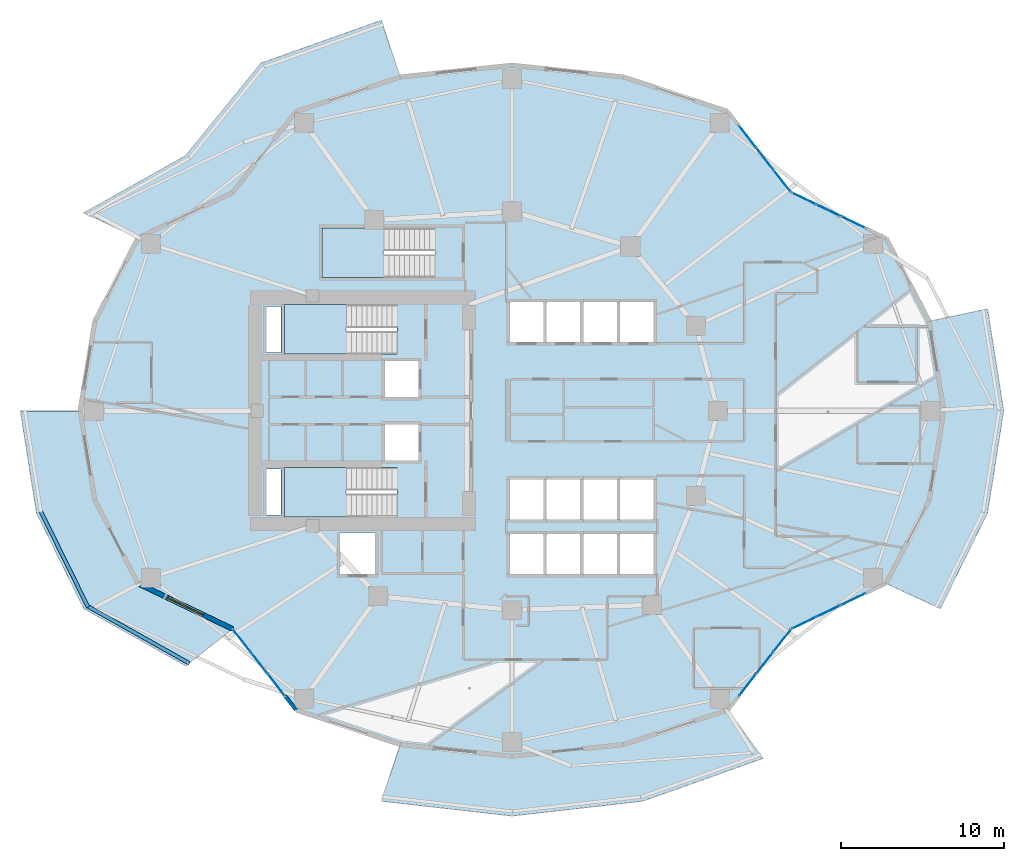
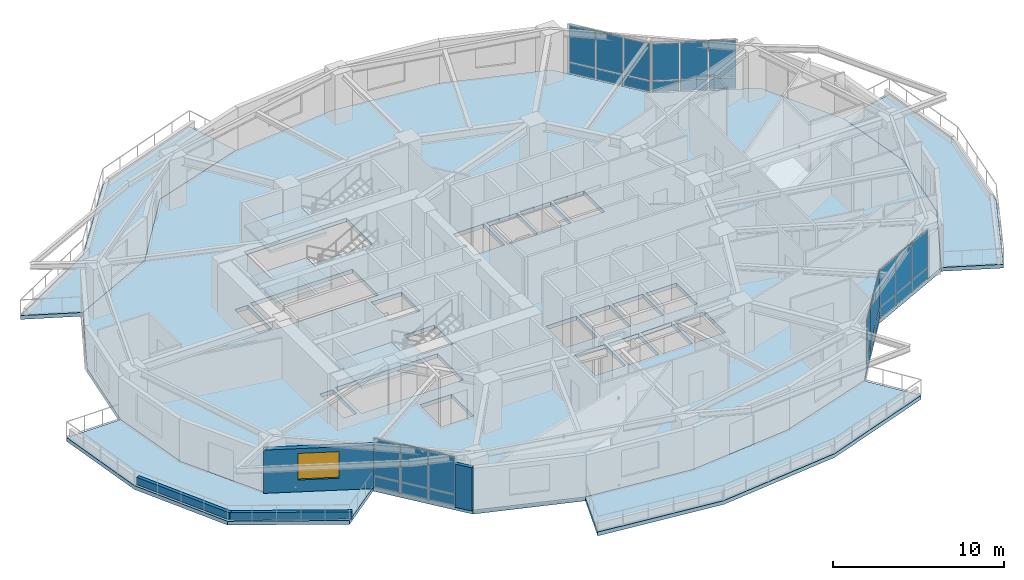
# One storey, part 7 of 19: 35 plates, 8 slabs, 4 walls, 1 window, 1 opening, 8 elements without a shape of their own.
"""IFC4 building model written with IfcOpenShell, lengths in metres."""

from ifc_helpers import new_model, si_unit, direction, frame, frame_2d, origin, origin_2d, place, context, subcontext, project, spatial, polyline, rectangle, outline, extrude, material, layer, layer_set, type_object, element, fill, aggregate, save


model = new_model("IFC4")

# Units and contexts
model_context = context("Model", 3, precision=1e-05, world=origin(), true_north=direction((0.0, 1.0)))
body_context = subcontext(model_context, "Body", "Model", "MODEL_VIEW")
ifc_project = project(units=[si_unit("LENGTHUNIT", "METRE"), si_unit("AREAUNIT", "SQUARE_METRE"), si_unit("VOLUMEUNIT", "CUBIC_METRE"), si_unit("PLANEANGLEUNIT", "RADIAN"), si_unit("MASSUNIT", "GRAM", prefix="KILO")], contexts=[model_context])

# Site, building, storey
site_placement = place(None, origin())
site = spatial("IfcSite", under=ifc_project, at=site_placement, CompositionType="ELEMENT")
building_placement = place(site_placement, origin())
building = spatial("IfcBuilding", under=site, at=building_placement, Name="Kolvaren Gate Tower and Convention Centre", CompositionType="ELEMENT")
storey_placement = place(building_placement, frame((0.0, 0.0, 68.85009765625)))
storey = spatial("IfcBuildingStorey", under=building, at=storey_placement, Name="L16", CompositionType="ELEMENT", Elevation=68.85009765625)

# Plates
ifc_material_1 = material(Name="Perforated Anodized Bronze Aluminium Sheet 6 mm", Category="aluminium")
ifc_layer_1 = layer(ifc_material_1, 0.011962890625)
ifc_layer_set_1 = layer_set([ifc_layer_1], Name="Perforated Anodized Bronze Aluminium Sheet 6 mm")
plate_type_1 = type_object("IfcPlateType", Name="ARCH-PL-SCREEN-PERF", PredefinedType="SHEET", material=ifc_layer_set_1)
for number, where, z_axis, x_axis, name in (
    (1, (50.122314453125, 38.967529296875, 2.72998046875), (0.0, 0.0, 1.0), (0.901357634097, -0.433075530889, 0.0), "Tower L16 Perforated Bronze Solar Screen SS-02"),
    (2, (45.283935546875, 42.83837890625, 2.72998046875), (0.0, 0.0, 1.0), (0.616431370541, -0.787408639407, 0.0), "Tower L16 Perforated Bronze Solar Screen SS-03"),
    (3, (14.966064453125, 11.161865234375, 2.72998046875), (0.0, 0.0, 1.0), (0.616431370541, -0.787408639407, 0.0), "Tower L16 Perforated Bronze Solar Screen SS-15"),
    (4, (45.283935546875, 11.161865234375, 2.72998046875), (0.0, 0.0, 1.0), (0.616431370541, 0.787408639407, 0.0), "Tower L16 Perforated Bronze Solar Screen SS-20"),
    (5, (50.122314453125, 15.032470703125, 2.72998046875), (0.0, 0.0, 1.0), (0.901357634097, 0.433075530889, 0.0), "Tower L16 Perforated Bronze Solar Screen SS-21"),
):
    element("IfcPlate", number, at=place(storey_placement, frame(where, z_axis=z_axis, x_axis=x_axis)), inside=storey, type_object=plate_type_1, Name=name, PredefinedType="SHEET", context=body_context, shape_type="SweptSolid", body=[
        extrude(rectangle(XDim=2.60009765625, YDim=0.011962890625, at=origin_2d()), origin(), (0.0, 0.0, 1.0), 0.840087890625),
    ])

# Curtain wall, plates
ifc_material_2 = material(Name="Anodized Architectural Aluminium Alloy 6063-T6", Category="aluminium")
ifc_layer_2 = layer(ifc_material_2, 0.159912109375)
ifc_layer_set_2 = layer_set([ifc_layer_2], Name="Anodized Architectural Aluminium Alloy 6063-T6")
curtain_wall_type = type_object("IfcCurtainWallType", Name="CW-OFF-UNIT", PredefinedType="NOTDEFINED", material=ifc_layer_set_2)
curtain_wall_1_placement = place(storey_placement, origin())
curtain_wall_1 = element("IfcCurtainWall", 6, at=curtain_wall_1_placement, inside=storey, type_object=curtain_wall_type, Name="Tower L16 Unitised Curtain Wall CW-OFF-UNIT Bay 02", PredefinedType="NOTDEFINED")
ifc_material_3 = material(Name="Low-E Triple Insulated Glazing Unit 44 mm", Category="glass")
ifc_layer_3 = layer(ifc_material_3, 0.0439453125)
ifc_layer_set_3 = layer_set([ifc_layer_3], Name="Low-E Triple Insulated Glazing Unit 44 mm")
plate_type_2 = type_object("IfcPlateType", Name="CW-PL-IGU-44", PredefinedType="CURTAIN_PANEL", material=ifc_layer_set_3)
plate_1_placement = place(storey_placement, frame((47.997314453125, 39.988525390625, 0.88232421875), z_axis=(0.0, 0.0, 1.0), x_axis=(0.901361695796, -0.433067077196, 0.0)))
plate_1 = element("IfcPlate", 7, at=plate_1_placement, type_object=plate_type_2, Name="CW-02 panel 1.2", PredefinedType="CURTAIN_PANEL", context=body_context, shape_type="SweptSolid", body=[
    extrude(rectangle(XDim=1.5859375, YDim=0.0439453125, at=origin_2d()), origin(), (0.0, 0.0, 1.0), 2.62255859375),
])
plate_2_placement = place(storey_placement, frame((49.499755859375, 39.2666015625, 0.88232421875), z_axis=(0.0, 0.0, 1.0), x_axis=(0.901361695796, -0.433067077196, 0.0)))
plate_2 = element("IfcPlate", 8, at=plate_2_placement, type_object=plate_type_2, Name="CW-02 panel 2.2", PredefinedType="CURTAIN_PANEL", context=body_context, shape_type="SweptSolid", body=[
    extrude(rectangle(XDim=1.618408203125, YDim=0.0439453125, at=origin_2d()), origin(), (0.0, 0.0, 1.0), 2.62255859375),
])
plate_3_placement = place(storey_placement, frame((51.00244140625, 38.544677734375, 0.88232421875), z_axis=(0.0, 0.0, 1.0), x_axis=(0.901361695796, -0.433067077196, 0.0)))
plate_3 = element("IfcPlate", 9, at=plate_3_placement, type_object=plate_type_2, Name="CW-02 panel 3.2", PredefinedType="CURTAIN_PANEL", context=body_context, shape_type="SweptSolid", body=[
    extrude(rectangle(XDim=1.5859375, YDim=0.0439453125, at=origin_2d()), origin(), (0.0, 0.0, 1.0), 2.62255859375),
])

curtain_wall_2_placement = place(storey_placement, origin())
curtain_wall_2 = element("IfcCurtainWall", 10, at=curtain_wall_2_placement, inside=storey, type_object=curtain_wall_type, Name="Tower L16 Unitised Curtain Wall CW-OFF-UNIT Bay 03", PredefinedType="NOTDEFINED")
plate_4_placement = place(storey_placement, frame((44.55322265625, 43.771484375, 0.88232421875), z_axis=(0.0, 0.0, 1.0), x_axis=(0.61643432946, -0.787406322976, 0.0)))
plate_4 = element("IfcPlate", 11, at=plate_4_placement, type_object=plate_type_2, Name="CW-02 panel 1.2", PredefinedType="CURTAIN_PANEL", context=body_context, shape_type="SweptSolid", body=[
    extrude(rectangle(XDim=1.641845703125, YDim=0.0439453125, at=origin_2d()), origin(), (0.0, 0.0, 1.0), 2.62255859375),
])
plate_5_placement = place(storey_placement, frame((45.615478515625, 42.41455078125, 0.88232421875), z_axis=(0.0, 0.0, 1.0), x_axis=(0.61643432946, -0.787406322976, 0.0)))
plate_5 = element("IfcPlate", 12, at=plate_5_placement, type_object=plate_type_2, Name="CW-02 panel 2.2", PredefinedType="CURTAIN_PANEL", context=body_context, shape_type="SweptSolid", body=[
    extrude(rectangle(XDim=1.674560546875, YDim=0.0439453125, at=origin_2d()), origin(), (0.0, 0.0, 1.0), 2.62255859375),
])
plate_6_placement = place(storey_placement, frame((46.677734375, 41.0576171875, 0.88232421875), z_axis=(0.0, 0.0, 1.0), x_axis=(0.61643432946, -0.787406322976, 0.0)))
plate_6 = element("IfcPlate", 13, at=plate_6_placement, type_object=plate_type_2, Name="CW-02 panel 3.2", PredefinedType="CURTAIN_PANEL", context=body_context, shape_type="SweptSolid", body=[
    extrude(rectangle(XDim=1.641845703125, YDim=0.0439453125, at=origin_2d()), origin(), (0.0, 0.0, 1.0), 2.62255859375),
])

curtain_wall_3_placement = place(storey_placement, origin())
curtain_wall_3 = element("IfcCurtainWall", 14, at=curtain_wall_3_placement, inside=storey, type_object=curtain_wall_type, Name="Tower L16 Unitised Curtain Wall CW-OFF-UNIT Bay 15", PredefinedType="NOTDEFINED")
plate_7_placement = place(storey_placement, frame((13.572265625, 12.9423828125, 0.88232421875), z_axis=(0.0, 0.0, 1.0), x_axis=(0.616426589398, -0.787412382353, 0.0)))
plate_7 = element("IfcPlate", 15, at=plate_7_placement, type_object=plate_type_2, Name="CW-02 panel 1.2", PredefinedType="CURTAIN_PANEL", context=body_context, shape_type="SweptSolid", body=[
    extrude(rectangle(XDim=1.641845703125, YDim=0.0439453125, at=origin_2d()), origin(), (0.0, 0.0, 1.0), 2.62255859375),
])
plate_8_placement = place(storey_placement, frame((14.63427734375, 11.58544921875, 0.88232421875), z_axis=(0.0, 0.0, 1.0), x_axis=(0.616426589398, -0.787412382353, 0.0)))
plate_8 = element("IfcPlate", 16, at=plate_8_placement, type_object=plate_type_2, Name="CW-02 panel 2.2", PredefinedType="CURTAIN_PANEL", context=body_context, shape_type="SweptSolid", body=[
    extrude(rectangle(XDim=1.67431640625, YDim=0.0439453125, at=origin_2d()), origin(), (0.0, 0.0, 1.0), 2.62255859375),
])
plate_9_placement = place(storey_placement, frame((15.696533203125, 10.228759765625, 0.88232421875), z_axis=(0.0, 0.0, 1.0), x_axis=(0.616426589398, -0.787412382353, 0.0)))
plate_9 = element("IfcPlate", 17, at=plate_9_placement, type_object=plate_type_2, Name="CW-02 panel 3.2", PredefinedType="CURTAIN_PANEL", context=body_context, shape_type="SweptSolid", body=[
    extrude(rectangle(XDim=1.641845703125, YDim=0.0439453125, at=origin_2d()), origin(), (0.0, 0.0, 1.0), 2.62255859375),
])

curtain_wall_4_placement = place(storey_placement, origin())
curtain_wall_4 = element("IfcCurtainWall", 18, at=curtain_wall_4_placement, inside=storey, type_object=curtain_wall_type, Name="Tower L16 Unitised Curtain Wall CW-OFF-UNIT Bay 20", PredefinedType="NOTDEFINED")
plate_10_placement = place(storey_placement, frame((44.55322265625, 10.228515625, 0.88232421875), z_axis=(0.0, 0.0, 1.0), x_axis=(0.61643432946, 0.787406322976, 0.0)))
plate_10 = element("IfcPlate", 19, at=plate_10_placement, type_object=plate_type_2, Name="CW-02 panel 1.2", PredefinedType="CURTAIN_PANEL", context=body_context, shape_type="SweptSolid", body=[
    extrude(rectangle(XDim=1.641845703125, YDim=0.0439453125, at=origin_2d()), origin(), (0.0, 0.0, 1.0), 2.62255859375),
])
plate_11_placement = place(storey_placement, frame((45.615478515625, 11.58544921875, 0.88232421875), z_axis=(0.0, 0.0, 1.0), x_axis=(0.61643432946, 0.787406322976, 0.0)))
plate_11 = element("IfcPlate", 20, at=plate_11_placement, type_object=plate_type_2, Name="CW-02 panel 2.2", PredefinedType="CURTAIN_PANEL", context=body_context, shape_type="SweptSolid", body=[
    extrude(rectangle(XDim=1.674560546875, YDim=0.0439453125, at=origin_2d()), origin(), (0.0, 0.0, 1.0), 2.62255859375),
])
plate_12_placement = place(storey_placement, frame((46.677734375, 12.9423828125, 0.88232421875), z_axis=(0.0, 0.0, 1.0), x_axis=(0.61643432946, 0.787406322976, 0.0)))
plate_12 = element("IfcPlate", 21, at=plate_12_placement, type_object=plate_type_2, Name="CW-02 panel 3.2", PredefinedType="CURTAIN_PANEL", context=body_context, shape_type="SweptSolid", body=[
    extrude(rectangle(XDim=1.641845703125, YDim=0.0439453125, at=origin_2d()), origin(), (0.0, 0.0, 1.0), 2.62255859375),
])

curtain_wall_5_placement = place(storey_placement, origin())
curtain_wall_5 = element("IfcCurtainWall", 22, at=curtain_wall_5_placement, inside=storey, type_object=curtain_wall_type, Name="Tower L16 Unitised Curtain Wall CW-OFF-UNIT Bay 21", PredefinedType="NOTDEFINED")
plate_13_placement = place(storey_placement, frame((47.997314453125, 14.011474609375, 0.88232421875), z_axis=(0.0, 0.0, 1.0), x_axis=(0.901361695796, 0.433067077196, 0.0)))
plate_13 = element("IfcPlate", 23, at=plate_13_placement, type_object=plate_type_2, Name="CW-02 panel 1.2", PredefinedType="CURTAIN_PANEL", context=body_context, shape_type="SweptSolid", body=[
    extrude(rectangle(XDim=1.5859375, YDim=0.0439453125, at=origin_2d()), origin(), (0.0, 0.0, 1.0), 2.62255859375),
])
plate_14_placement = place(storey_placement, frame((49.499755859375, 14.7333984375, 0.88232421875), z_axis=(0.0, 0.0, 1.0), x_axis=(0.901361695796, 0.433067077196, 0.0)))
plate_14 = element("IfcPlate", 24, at=plate_14_placement, type_object=plate_type_2, Name="CW-02 panel 2.2", PredefinedType="CURTAIN_PANEL", context=body_context, shape_type="SweptSolid", body=[
    extrude(rectangle(XDim=1.618408203125, YDim=0.0439453125, at=origin_2d()), origin(), (0.0, 0.0, 1.0), 2.62255859375),
])
plate_15_placement = place(storey_placement, frame((51.00244140625, 15.455322265625, 0.88232421875), z_axis=(0.0, 0.0, 1.0), x_axis=(0.901361695796, 0.433067077196, 0.0)))
plate_15 = element("IfcPlate", 25, at=plate_15_placement, type_object=plate_type_2, Name="CW-02 panel 3.2", PredefinedType="CURTAIN_PANEL", context=body_context, shape_type="SweptSolid", body=[
    extrude(rectangle(XDim=1.5859375, YDim=0.0439453125, at=origin_2d()), origin(), (0.0, 0.0, 1.0), 2.62255859375),
])

# Plate
ifc_material_4 = material(Name="Solar-Control Laminated Curtain Glazing 36 mm", Category="glass")
ifc_layer_4 = layer(ifc_material_4, 0.035888671875)
ifc_layer_set_4 = layer_set([ifc_layer_4], Name="Solar-Control Laminated Curtain Glazing 36 mm")
plate_type_3 = type_object("IfcPlateType", Name="CW-PL-SPAN-36", PredefinedType="CURTAIN_PANEL", material=ifc_layer_set_4)
plate_16_placement = place(storey_placement, frame((47.997314453125, 39.988525390625, 0.06494140625), z_axis=(0.0, 0.0, 1.0), x_axis=(0.901361695796, -0.433067077196, 0.0)))
plate_16 = element("IfcPlate", 26, at=plate_16_placement, type_object=plate_type_3, Name="CW-02 panel 1.1", PredefinedType="CURTAIN_PANEL", context=body_context, shape_type="SweptSolid", body=[
    extrude(rectangle(XDim=1.5859375, YDim=0.035888671875, at=origin_2d()), origin(), (0.0, 0.0, 1.0), 0.75244140625),
])

plate_17_placement = place(storey_placement, frame((49.499755859375, 39.2666015625, 0.06494140625), z_axis=(0.0, 0.0, 1.0), x_axis=(0.901361695796, -0.433067077196, 0.0)))
plate_17 = element("IfcPlate", 27, at=plate_17_placement, type_object=plate_type_3, Name="CW-02 panel 2.1", PredefinedType="CURTAIN_PANEL", context=body_context, shape_type="SweptSolid", body=[
    extrude(rectangle(XDim=1.618408203125, YDim=0.035888671875, at=origin_2d()), origin(), (0.0, 0.0, 1.0), 0.75244140625),
])

plate_18_placement = place(storey_placement, frame((51.00244140625, 38.544677734375, 0.06494140625), z_axis=(0.0, 0.0, 1.0), x_axis=(0.901361695796, -0.433067077196, 0.0)))
plate_18 = element("IfcPlate", 28, at=plate_18_placement, type_object=plate_type_3, Name="CW-02 panel 3.1", PredefinedType="CURTAIN_PANEL", context=body_context, shape_type="SweptSolid", body=[
    extrude(rectangle(XDim=1.5859375, YDim=0.035888671875, at=origin_2d()), origin(), (0.0, 0.0, 1.0), 0.75244140625),
])

aggregate(curtain_wall_1, [plate_16, plate_1, plate_17, plate_2, plate_18, plate_3])

plate_19_placement = place(storey_placement, frame((44.55322265625, 43.771484375, 0.06494140625), z_axis=(0.0, 0.0, 1.0), x_axis=(0.61643432946, -0.787406322976, 0.0)))
plate_19 = element("IfcPlate", 29, at=plate_19_placement, type_object=plate_type_3, Name="CW-02 panel 1.1", PredefinedType="CURTAIN_PANEL", context=body_context, shape_type="SweptSolid", body=[
    extrude(rectangle(XDim=1.641845703125, YDim=0.035888671875, at=origin_2d()), origin(), (0.0, 0.0, 1.0), 0.75244140625),
])

plate_20_placement = place(storey_placement, frame((45.615478515625, 42.41455078125, 0.06494140625), z_axis=(0.0, 0.0, 1.0), x_axis=(0.61643432946, -0.787406322976, 0.0)))
plate_20 = element("IfcPlate", 30, at=plate_20_placement, type_object=plate_type_3, Name="CW-02 panel 2.1", PredefinedType="CURTAIN_PANEL", context=body_context, shape_type="SweptSolid", body=[
    extrude(rectangle(XDim=1.674560546875, YDim=0.035888671875, at=origin_2d()), origin(), (0.0, 0.0, 1.0), 0.75244140625),
])

plate_21_placement = place(storey_placement, frame((46.677734375, 41.0576171875, 0.06494140625), z_axis=(0.0, 0.0, 1.0), x_axis=(0.61643432946, -0.787406322976, 0.0)))
plate_21 = element("IfcPlate", 31, at=plate_21_placement, type_object=plate_type_3, Name="CW-02 panel 3.1", PredefinedType="CURTAIN_PANEL", context=body_context, shape_type="SweptSolid", body=[
    extrude(rectangle(XDim=1.641845703125, YDim=0.035888671875, at=origin_2d()), origin(), (0.0, 0.0, 1.0), 0.75244140625),
])

aggregate(curtain_wall_2, [plate_19, plate_4, plate_20, plate_5, plate_21, plate_6])

plate_22_placement = place(storey_placement, frame((13.572265625, 12.9423828125, 0.06494140625), z_axis=(0.0, 0.0, 1.0), x_axis=(0.616426589398, -0.787412382353, 0.0)))
plate_22 = element("IfcPlate", 32, at=plate_22_placement, type_object=plate_type_3, Name="CW-02 panel 1.1", PredefinedType="CURTAIN_PANEL", context=body_context, shape_type="SweptSolid", body=[
    extrude(rectangle(XDim=1.641845703125, YDim=0.035888671875, at=origin_2d()), origin(), (0.0, 0.0, 1.0), 0.75244140625),
])

plate_23_placement = place(storey_placement, frame((14.63427734375, 11.58544921875, 0.06494140625), z_axis=(0.0, 0.0, 1.0), x_axis=(0.616426589398, -0.787412382353, 0.0)))
plate_23 = element("IfcPlate", 33, at=plate_23_placement, type_object=plate_type_3, Name="CW-02 panel 2.1", PredefinedType="CURTAIN_PANEL", context=body_context, shape_type="SweptSolid", body=[
    extrude(rectangle(XDim=1.67431640625, YDim=0.035888671875, at=origin_2d()), origin(), (0.0, 0.0, 1.0), 0.75244140625),
])

plate_24_placement = place(storey_placement, frame((15.696533203125, 10.228759765625, 0.06494140625), z_axis=(0.0, 0.0, 1.0), x_axis=(0.616426589398, -0.787412382353, 0.0)))
plate_24 = element("IfcPlate", 34, at=plate_24_placement, type_object=plate_type_3, Name="CW-02 panel 3.1", PredefinedType="CURTAIN_PANEL", context=body_context, shape_type="SweptSolid", body=[
    extrude(rectangle(XDim=1.641845703125, YDim=0.035888671875, at=origin_2d()), origin(), (0.0, 0.0, 1.0), 0.75244140625),
])

aggregate(curtain_wall_3, [plate_22, plate_7, plate_23, plate_8, plate_24, plate_9])

plate_25_placement = place(storey_placement, frame((44.55322265625, 10.228515625, 0.06494140625), z_axis=(0.0, 0.0, 1.0), x_axis=(0.61643432946, 0.787406322976, 0.0)))
plate_25 = element("IfcPlate", 35, at=plate_25_placement, type_object=plate_type_3, Name="CW-02 panel 1.1", PredefinedType="CURTAIN_PANEL", context=body_context, shape_type="SweptSolid", body=[
    extrude(rectangle(XDim=1.641845703125, YDim=0.035888671875, at=origin_2d()), origin(), (0.0, 0.0, 1.0), 0.75244140625),
])

plate_26_placement = place(storey_placement, frame((45.615478515625, 11.58544921875, 0.06494140625), z_axis=(0.0, 0.0, 1.0), x_axis=(0.61643432946, 0.787406322976, 0.0)))
plate_26 = element("IfcPlate", 36, at=plate_26_placement, type_object=plate_type_3, Name="CW-02 panel 2.1", PredefinedType="CURTAIN_PANEL", context=body_context, shape_type="SweptSolid", body=[
    extrude(rectangle(XDim=1.674560546875, YDim=0.035888671875, at=origin_2d()), origin(), (0.0, 0.0, 1.0), 0.75244140625),
])

plate_27_placement = place(storey_placement, frame((46.677734375, 12.9423828125, 0.06494140625), z_axis=(0.0, 0.0, 1.0), x_axis=(0.61643432946, 0.787406322976, 0.0)))
plate_27 = element("IfcPlate", 37, at=plate_27_placement, type_object=plate_type_3, Name="CW-02 panel 3.1", PredefinedType="CURTAIN_PANEL", context=body_context, shape_type="SweptSolid", body=[
    extrude(rectangle(XDim=1.641845703125, YDim=0.035888671875, at=origin_2d()), origin(), (0.0, 0.0, 1.0), 0.75244140625),
])

aggregate(curtain_wall_4, [plate_25, plate_10, plate_26, plate_11, plate_27, plate_12])

plate_28_placement = place(storey_placement, frame((47.997314453125, 14.011474609375, 0.06494140625), z_axis=(0.0, 0.0, 1.0), x_axis=(0.901361695796, 0.433067077196, 0.0)))
plate_28 = element("IfcPlate", 38, at=plate_28_placement, type_object=plate_type_3, Name="CW-02 panel 1.1", PredefinedType="CURTAIN_PANEL", context=body_context, shape_type="SweptSolid", body=[
    extrude(rectangle(XDim=1.5859375, YDim=0.035888671875, at=origin_2d()), origin(), (0.0, 0.0, 1.0), 0.75244140625),
])

plate_29_placement = place(storey_placement, frame((49.499755859375, 14.7333984375, 0.06494140625), z_axis=(0.0, 0.0, 1.0), x_axis=(0.901361695796, 0.433067077196, 0.0)))
plate_29 = element("IfcPlate", 39, at=plate_29_placement, type_object=plate_type_3, Name="CW-02 panel 2.1", PredefinedType="CURTAIN_PANEL", context=body_context, shape_type="SweptSolid", body=[
    extrude(rectangle(XDim=1.618408203125, YDim=0.035888671875, at=origin_2d()), origin(), (0.0, 0.0, 1.0), 0.75244140625),
])

plate_30_placement = place(storey_placement, frame((51.00244140625, 15.455322265625, 0.06494140625), z_axis=(0.0, 0.0, 1.0), x_axis=(0.901361695796, 0.433067077196, 0.0)))
plate_30 = element("IfcPlate", 40, at=plate_30_placement, type_object=plate_type_3, Name="CW-02 panel 3.1", PredefinedType="CURTAIN_PANEL", context=body_context, shape_type="SweptSolid", body=[
    extrude(rectangle(XDim=1.5859375, YDim=0.035888671875, at=origin_2d()), origin(), (0.0, 0.0, 1.0), 0.75244140625),
])

aggregate(curtain_wall_5, [plate_28, plate_13, plate_29, plate_14, plate_30, plate_15])

# Slabs
ifc_material_5 = material(Name="Concrete C50/60", Category="concrete")
ifc_layer_5 = layer(ifc_material_5, 0.27001953125)
ifc_layer_set_5 = layer_set([ifc_layer_5], Name="Concrete C50/60")
slab_type_1 = type_object("IfcSlabType", Name="STR-SL-BALC-270", PredefinedType="FLOOR", material=ifc_layer_set_5)
slab_1_placement = place(storey_placement, frame((0.0, 0.0, -0.27001953125)))
element("IfcSlab", 41, at=slab_1_placement, inside=storey, type_object=slab_type_1, Name="Tower L16 Planted Balcony Terrace Slab 1 (North)", PredefinedType="FLOOR", context=body_context, shape_type="SweptSolid", body=[
    extrude(outline(polyline([(23.282470703125, 47.42919921875), (16.90625, 45.31640625), (13.026123046875, 40.360107421875), (7.2294921875, 37.574951171875), (3.90673828125, 39.109619140625), (10.14208984375, 42.613525390625), (14.764404296875, 48.2841796875), (22.1201171875, 50.89990234375), (23.282470703125, 47.42919921875)])), origin(), (0.0, 0.0, 1.0), 0.27001953125),
])
slab_2_placement = place(storey_placement, frame((0.0, 0.0, -0.27001953125)))
element("IfcSlab", 42, at=slab_2_placement, inside=storey, type_object=slab_type_1, Name="Tower L16 Planted Balcony Terrace Slab 2 (West)", PredefinedType="FLOOR", context=body_context, shape_type="SweptSolid", body=[
    extrude(outline(polyline([(3.6875, 27.0), (4.58837890625, 21.52587890625), (7.2294921875, 16.425048828125), (13.026123046875, 13.639892578125), (10.14208984375, 11.386474609375), (3.90673828125, 14.890380859375), (1.009521484375, 20.7587890625), (0.027587890625, 27.0), (3.6875, 27.0)])), origin(), (0.0, 0.0, 1.0), 0.27001953125),
])
slab_3_placement = place(storey_placement, frame((0.0, 0.0, -0.27001953125)))
element("IfcSlab", 43, at=slab_3_placement, inside=storey, type_object=slab_type_1, Name="Tower L16 Planted Balcony Terrace Slab 3 (South)", PredefinedType="FLOOR", context=body_context, shape_type="SweptSolid", body=[
    extrude(outline(polyline([(23.282470703125, 6.57080078125), (30.125, 5.85009765625), (36.967529296875, 6.57080078125), (43.34375, 8.68359375), (45.485595703125, 5.7158203125), (38.1298828125, 3.10009765625), (30.125, 2.18994140625), (22.1201171875, 3.10009765625), (23.282470703125, 6.57080078125)])), origin(), (0.0, 0.0, 1.0), 0.27001953125),
])
slab_4_placement = place(storey_placement, frame((0.0, 0.0, -0.27001953125)))
element("IfcSlab", 44, at=slab_4_placement, inside=storey, type_object=slab_type_1, Name="Tower L16 Planted Balcony Terrace Slab 4 (East)", PredefinedType="FLOOR", context=body_context, shape_type="SweptSolid", body=[
    extrude(outline(polyline([(53.0205078125, 16.425048828125), (55.66162109375, 21.52587890625), (56.5625, 27.0), (55.66162109375, 32.47412109375), (59.240478515625, 33.2412109375), (60.222412109375, 27.0), (59.240478515625, 20.7587890625), (56.34326171875, 14.890380859375), (53.0205078125, 16.425048828125)])), origin(), (0.0, 0.0, 1.0), 0.27001953125),
])
ifc_layer_6 = layer(ifc_material_5, 0.280029296875)
ifc_layer_set_6 = layer_set([ifc_layer_6], Name="Concrete C50/60")
slab_type_2 = type_object("IfcSlabType", Name="STR-SL-FLR-280", PredefinedType="FLOOR", material=ifc_layer_set_6)
slab_5_placement = place(storey_placement, frame((0.0, 0.0, -0.280029296875)))
element("IfcSlab", 45, at=slab_5_placement, inside=storey, type_object=slab_type_2, Name="Tower L16 Structural Floor Slab", PredefinedType="FLOOR", context=body_context, shape_type="SweptSolid", body=[
    extrude(outline(polyline([(56.5625, 27.0), (55.66162109375, 32.47412109375), (53.0205078125, 37.574951171875), (47.223876953125, 40.360107421875), (43.34375, 45.31640625), (36.967529296875, 47.42919921875), (30.125, 48.14990234375), (23.282470703125, 47.42919921875), (16.90625, 45.31640625), (13.026123046875, 40.360107421875), (7.2294921875, 37.574951171875), (4.58837890625, 32.47412109375), (3.6875, 27.0), (4.58837890625, 21.52587890625), (7.2294921875, 16.425048828125), (13.026123046875, 13.639892578125), (16.90625, 8.68359375), (23.282470703125, 6.57080078125), (30.125, 5.85009765625), (36.967529296875, 6.57080078125), (43.34375, 8.68359375), (47.223876953125, 13.639892578125), (53.0205078125, 16.425048828125), (55.66162109375, 21.52587890625), (56.5625, 27.0)]), holes=[polyline([(36.75, 33.64990234375), (38.800048828125, 33.64990234375), (38.800048828125, 31.199951171875), (36.75, 31.199951171875), (36.75, 33.64990234375)]), polyline([(36.75, 20.35009765625), (36.75, 22.800048828125), (38.800048828125, 22.800048828125), (38.800048828125, 20.35009765625), (36.75, 20.35009765625)]), polyline([(36.75, 17.0), (36.75, 19.449951171875), (38.800048828125, 19.449951171875), (38.800048828125, 17.0), (36.75, 17.0)]), polyline([(34.5, 33.64990234375), (36.550048828125, 33.64990234375), (36.550048828125, 31.199951171875), (34.5, 31.199951171875), (34.5, 33.64990234375)]), polyline([(34.5, 22.800048828125), (36.550048828125, 22.800048828125), (36.550048828125, 20.35009765625), (34.5, 20.35009765625), (34.5, 22.800048828125)]), polyline([(34.5, 17.0), (34.5, 19.449951171875), (36.550048828125, 19.449951171875), (36.550048828125, 17.0), (34.5, 17.0)]), polyline([(32.25, 31.199951171875), (32.25, 33.64990234375), (34.300048828125, 33.64990234375), (34.300048828125, 31.199951171875), (32.25, 31.199951171875)]), polyline([(32.25, 22.800048828125), (34.300048828125, 22.800048828125), (34.300048828125, 20.35009765625), (32.25, 20.35009765625), (32.25, 22.800048828125)]), polyline([(32.25, 17.0), (32.25, 19.449951171875), (34.300048828125, 19.449951171875), (34.300048828125, 17.0), (32.25, 17.0)]), polyline([(30.0, 31.199951171875), (30.0, 33.64990234375), (32.050048828125, 33.64990234375), (32.050048828125, 31.199951171875), (30.0, 31.199951171875)]), polyline([(30.0, 20.35009765625), (30.0, 22.800048828125), (32.050048828125, 22.800048828125), (32.050048828125, 20.35009765625), (30.0, 20.35009765625)]), polyline([(30.0, 17.0), (30.0, 19.449951171875), (32.050048828125, 19.449951171875), (32.050048828125, 17.0), (30.0, 17.0)]), polyline([(25.39990234375, 35.159912109375), (18.5, 35.159912109375), (18.5, 38.199951171875), (25.39990234375, 38.199951171875), (25.39990234375, 35.159912109375)]), polyline([(22.35009765625, 27.840087890625), (22.35009765625, 30.0400390625), (24.39990234375, 30.0400390625), (24.39990234375, 27.840087890625), (22.35009765625, 27.840087890625)]), polyline([(22.35009765625, 23.9599609375), (22.35009765625, 26.159912109375), (24.39990234375, 26.159912109375), (24.39990234375, 23.9599609375), (22.35009765625, 23.9599609375)]), polyline([(23.10009765625, 30.4599609375), (16.199951171875, 30.4599609375), (16.199951171875, 33.5), (23.10009765625, 33.5), (23.10009765625, 30.4599609375)]), polyline([(23.10009765625, 20.5), (16.199951171875, 20.5), (16.199951171875, 23.5400390625), (23.10009765625, 23.5400390625), (23.10009765625, 20.5)]), polyline([(19.60009765625, 17.0), (19.60009765625, 19.550048828125), (21.75, 19.550048828125), (21.75, 17.0), (19.60009765625, 17.0)]), polyline([(15.080078125, 23.419921875), (15.969970703125, 23.419921875), (15.969970703125, 20.6298828125), (15.080078125, 20.6298828125), (15.080078125, 23.419921875)]), polyline([(15.080078125, 30.580078125), (15.080078125, 33.3701171875), (15.969970703125, 33.3701171875), (15.969970703125, 30.580078125), (15.080078125, 30.580078125)])]), origin(), (0.0, 0.0, 1.0), 0.280029296875),
])

# Stair, slab
stair_type = type_object("IfcStairType", Name="STR-STAIR-CORE", PredefinedType="HALF_TURN_STAIR", material=ifc_material_5)
stair_1_placement = place(storey_placement, origin())
stair_1 = element("IfcStair", 46, at=stair_1_placement, inside=storey, type_object=stair_type, Name="L16 Tower North Exit Stair ST-T1", PredefinedType="HALF_TURN_STAIR")
ifc_layer_7 = layer(ifc_material_5, 0.199951171875)
ifc_layer_set_7 = layer_set([ifc_layer_7], Name="Concrete C50/60")
slab_type_3 = type_object("IfcSlabType", Name="STR-SL-LAND-200", PredefinedType="LANDING", material=ifc_layer_set_7)
slab_6_placement = place(storey_placement, frame((0.0, 0.0, 1.724853515625)))
slab_6 = element("IfcSlab", 47, at=slab_6_placement, type_object=slab_type_3, Name="ST-T1 landing 1", PredefinedType="LANDING", context=body_context, shape_type="SweptSolid", body=[
    extrude(outline(polyline([(20.0, 33.5), (16.199951171875, 33.5), (16.199951171875, 30.4599609375), (20.0, 30.4599609375), (20.0, 33.5)])), origin(), (0.0, 0.0, 1.0), 0.199951171875),
])
aggregate(stair_1, [slab_6])

stair_2_placement = place(storey_placement, origin())
stair_2 = element("IfcStair", 48, at=stair_2_placement, inside=storey, type_object=stair_type, Name="L16 Tower South Exit Stair ST-T2", PredefinedType="HALF_TURN_STAIR")
slab_7_placement = place(storey_placement, frame((0.0, 0.0, 1.724853515625)))
slab_7 = element("IfcSlab", 49, at=slab_7_placement, type_object=slab_type_3, Name="ST-T2 landing 1", PredefinedType="LANDING", context=body_context, shape_type="SweptSolid", body=[
    extrude(outline(polyline([(20.0, 23.5400390625), (16.199951171875, 23.5400390625), (16.199951171875, 20.5), (20.0, 20.5), (20.0, 23.5400390625)])), origin(), (0.0, 0.0, 1.0), 0.199951171875),
])
aggregate(stair_2, [slab_7])

stair_3_placement = place(storey_placement, origin())
stair_3 = element("IfcStair", 50, at=stair_3_placement, inside=storey, type_object=stair_type, Name="L16 Tower Mid-Zone Exit Stair ST-T3", PredefinedType="HALF_TURN_STAIR")
slab_8_placement = place(storey_placement, frame((0.0, 0.0, 1.724853515625)))
slab_8 = element("IfcSlab", 51, at=slab_8_placement, type_object=slab_type_3, Name="ST-T3 landing 1", PredefinedType="LANDING", context=body_context, shape_type="SweptSolid", body=[
    extrude(outline(polyline([(22.300048828125, 38.199951171875), (18.5, 38.199951171875), (18.5, 35.159912109375), (22.300048828125, 35.159912109375), (22.300048828125, 38.199951171875)])), origin(), (0.0, 0.0, 1.0), 0.199951171875),
])
aggregate(stair_3, [slab_8])

# Walls
ifc_material_6 = material(Name="Bogota Sabana Bush-Hammered Sandstone Cladding", Category="masonry")
ifc_layer_8 = layer(ifc_material_6, 0.219970703125)
ifc_layer_set_8 = layer_set([ifc_layer_8], Name="Bogota Sabana Bush-Hammered Sandstone Cladding")
wall_type_1 = type_object("IfcWallType", Name="ARCH-WL-PIER-220", PredefinedType="SOLIDWALL", material=ifc_layer_set_8)
wall_1_placement = place(storey_placement, frame((16.24267578125, 9.53125, 0.0), z_axis=(0.0, 0.0, 1.0), x_axis=(0.616418327775, -0.787418849903, 0.0)))
element("IfcWall", 52, at=wall_1_placement, inside=storey, type_object=wall_type_1, Name="Tower L16 Unitised Curtain Wall CW-OFF-UNIT Bay 15 Right Column Pier Wrap", PredefinedType="SOLIDWALL", context=body_context, shape_type="SweptSolid", body=[
    extrude(rectangle(XDim=1.076416015625, YDim=0.219970703125, at=frame_2d((0.5380859375, 0.0))), origin(), (0.0, 0.0, 1.0), 3.093017578125),
])
ifc_material_7 = material(Name="Piedmont Cream Honed Limestone Cladding", Category="masonry")
ifc_layer_9 = layer(ifc_material_7, 0.219970703125)
ifc_layer_set_9 = layer_set([ifc_layer_9], Name="Piedmont Cream Honed Limestone Cladding")
wall_type_2 = type_object("IfcWallType", Name="ARCH-WL-PLANTER-220", PredefinedType="PARAPET", material=ifc_layer_set_9)
wall_2_placement = place(storey_placement, frame((1.275390625, 20.846923828125, 0.0), z_axis=(0.0, 0.0, 1.0), x_axis=(0.442686636348, -0.89667638644, 0.0)))
element("IfcWall", 53, at=wall_2_placement, inside=storey, type_object=wall_type_2, Name="Vertical-Forest Balcony Stone Planter Kerb PK-L16-2.2", PredefinedType="PARAPET", context=body_context, shape_type="SweptSolid", body=[
    extrude(rectangle(XDim=6.544677734375, YDim=0.219970703125, at=frame_2d((3.2724609375, 0.0))), origin(), (0.0, 0.0, 1.0), 0.52001953125),
])
wall_3_placement = place(storey_placement, frame((4.14697265625, 15.034423828125, 0.0), z_axis=(0.0, 0.0, 1.0), x_axis=(0.871775109335, -0.489906275468, 0.0)))
element("IfcWall", 54, at=wall_3_placement, inside=storey, type_object=wall_type_2, Name="Vertical-Forest Balcony Stone Planter Kerb PK-L16-2.3", PredefinedType="PARAPET", context=body_context, shape_type="SweptSolid", body=[
    extrude(rectangle(XDim=7.152099609375, YDim=0.219970703125, at=frame_2d((3.576171875, 0.0))), origin(), (0.0, 0.0, 1.0), 0.52001953125),
])

# Wall, opening, window
ifc_layer_10 = layer(ifc_material_7, 0.300048828125)
ifc_layer_set_10 = layer_set([ifc_layer_10], Name="Piedmont Cream Honed Limestone Cladding")
wall_type_3 = type_object("IfcWallType", Name="ARCH-WL-STONE-300", PredefinedType="SOLIDWALL", material=ifc_layer_set_10)
wall_4_placement = place(storey_placement, frame((7.2294921875, 16.425048828125, 0.0), z_axis=(0.0, 0.0, 1.0), x_axis=(0.901354747727, -0.433081538224, 0.0)))
wall_4 = element("IfcWall", 55, at=wall_4_placement, inside=storey, type_object=wall_type_3, Name="Tower L16 Honed Stone Spandrel Wall EW-14", PredefinedType="SOLIDWALL", context=body_context, shape_type="SweptSolid", body=[
    extrude(rectangle(XDim=6.430908203125, YDim=0.300048828125, at=frame_2d((3.21533203125, 0.0))), origin(), (0.0, 0.0, 1.0), 3.093017578125),
])
opening_placement = place(wall_4_placement, frame((2.014892578125, 0.0, 0.85009765625)))
opening = element("IfcOpeningElement", 56, at=opening_placement, cuts=wall_4, Name="Opening W-01", PredefinedType="OPENING", context=body_context, shape_type="SweptSolid", body=[
    extrude(rectangle(XDim=2.39990234375, YDim=1.89990234375, at=frame_2d((1.199951171875, 0.949951171875))), frame((0.0, 0.159912109375, 0.0), z_axis=(0.0, -1.0, 0.0), x_axis=(1.0, 0.0, 0.0)), (0.0, 0.0, 1.0), 0.320068359375),
])
window_type = type_object("IfcWindowType", Name="ARCH-WN-OFF-2400", PartitioningType="SINGLE_PANEL", PredefinedType="WINDOW", material=ifc_material_3)
window_placement = place(opening_placement, origin())
window = element("IfcWindow", 57, at=window_placement, inside=storey, type_object=window_type, Name="Tower L16 Punched Stone Facade Window W-14", OverallHeight=1.89990234375, OverallWidth=2.39990234375, PartitioningType="SINGLE_PANEL", PredefinedType="WINDOW", context=body_context, shape_type="SweptSolid", body=[
    extrude(rectangle(XDim=2.39990234375, YDim=1.89990234375, at=frame_2d((1.199951171875, 0.949951171875))), frame((0.0, 0.030029296875, 0.0), z_axis=(0.0, -1.0, 0.0), x_axis=(1.0, 0.0, 0.0)), (0.0, 0.0, 1.0), 0.06005859375),
])
fill(opening, window)

save(model, "model.ifc")
